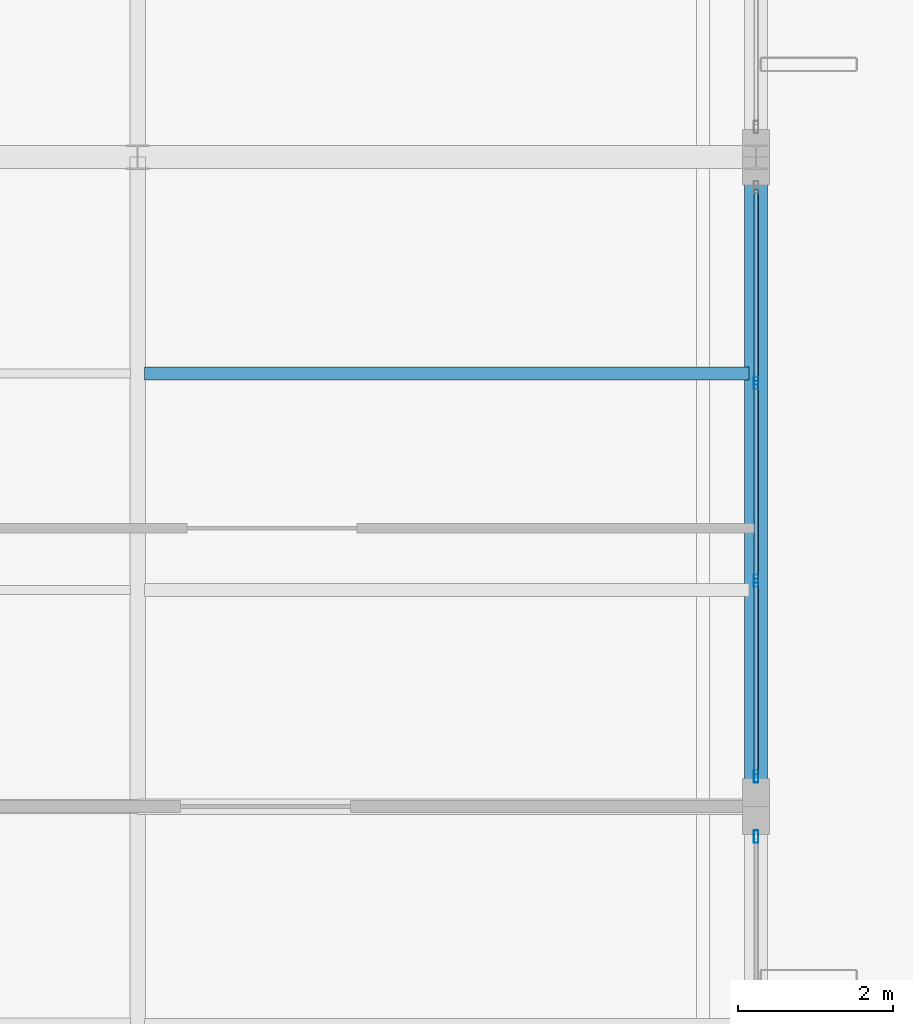
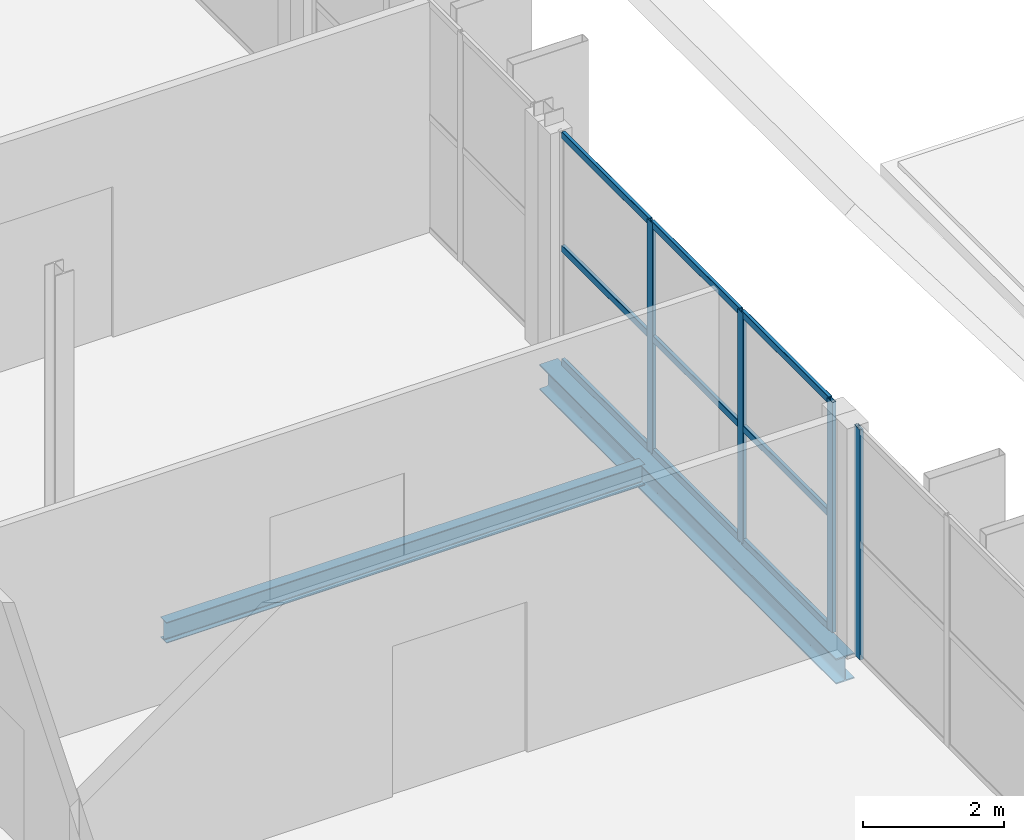
# One storey, part 44 of 93: 13 members, 2 beams, 2 elements without a shape of their own.
"""IFC4 building model written with IfcOpenShell, lengths in metres."""

from ifc_helpers import new_model, si_unit, direction, frame, origin, origin_2d, place, context, subcontext, project, spatial, hollow_rectangle, i_section, extrude, material, layer, layer_set, material_profile, profile_set, type_object, element, aggregate, save


model = new_model("IFC4")

# Units and contexts
model_context = context("Model", 3, precision=1e-05, world=origin(), true_north=direction((0.0, 1.0)))
body_context = subcontext(model_context, "Body", "Model", "MODEL_VIEW")
ifc_project = project(units=[si_unit("LENGTHUNIT", "METRE"), si_unit("AREAUNIT", "SQUARE_METRE"), si_unit("VOLUMEUNIT", "CUBIC_METRE"), si_unit("PLANEANGLEUNIT", "RADIAN"), si_unit("MASSUNIT", "GRAM", prefix="KILO")], contexts=[model_context])

# Site, building, storey
site_placement = place(None, origin())
site = spatial("IfcSite", under=ifc_project, at=site_placement, CompositionType="ELEMENT")
building_placement = place(site_placement, origin())
building = spatial("IfcBuilding", under=site, at=building_placement, Name="Vekula Escarpment Museum", CompositionType="ELEMENT")
storey_placement = place(building_placement, frame((0.0, 0.0, 22.199951171875)))
storey = spatial("IfcBuildingStorey", under=building, at=storey_placement, Name="L05", CompositionType="ELEMENT", Elevation=22.199951171875)

# Beams
ifc_material_1 = material(Name="Steel S355", Category="steel")
ifc_material_profile_1 = material_profile(ifc_material_1, i_section(OverallWidth=0.169921875, OverallDepth=0.360107421875, WebThickness=0.008056640625, FlangeThickness=0.0126953125, FilletRadius=0.01806640625, at=origin_2d()), Name="IPE 360")
ifc_profile_set_1 = profile_set([ifc_material_profile_1], Name="Steel S355")
beam_type_1 = type_object("IfcBeamType", Name="BM-JST-IPE360", PredefinedType="JOIST", material=ifc_profile_set_1)
beam_1_placement = place(storey_placement, frame((118.090087890625, 73.60009765625, -0.39990234375), z_axis=(1.0, 0.0, 0.0), x_axis=(0.0, 1.0, 0.0)))
element("IfcBeam", 1, at=beam_1_placement, inside=storey, type_object=beam_type_1, Name="Secondary Joist L05 1378", PredefinedType="JOIST", context=body_context, shape_type="SweptSolid", body=[
    extrude(i_section(OverallWidth=0.169921875, OverallDepth=0.360107421875, WebThickness=0.008056640625, FlangeThickness=0.0126953125, FilletRadius=0.01806640625, at=origin_2d()), origin(), (0.0, 0.0, 1.0), 7.81982421875),
])
ifc_material_2 = material(Name="Steel S355", Category="steel")
ifc_material_profile_2 = material_profile(ifc_material_2, i_section(OverallWidth=0.300048828125, OverallDepth=0.43994140625, WebThickness=0.011474609375, FlangeThickness=0.02099609375, FilletRadius=0.027099609375, at=origin_2d()), Name="HEA 450")
ifc_profile_set_2 = profile_set([ifc_material_profile_2], Name="Steel S355")
beam_type_2 = type_object("IfcBeamType", Name="BM-SPAN-HEA450", PredefinedType="SPANDREL", material=ifc_profile_set_2)
beam_2_placement = place(storey_placement, frame((126.0, 68.0, -0.43994140625), z_axis=(0.0, 1.0, 0.0), x_axis=(-1.0, 0.0, 0.0)))
element("IfcBeam", 2, at=beam_2_placement, inside=storey, type_object=beam_type_2, Name="Beam Y L05 2152", PredefinedType="SPANDREL", context=body_context, shape_type="SweptSolid", body=[
    extrude(i_section(OverallWidth=0.300048828125, OverallDepth=0.43994140625, WebThickness=0.011474609375, FlangeThickness=0.02099609375, FilletRadius=0.027099609375, at=origin_2d()), origin(), (0.0, 0.0, 1.0), 8.39990234375),
])

# Curtain wall, member
ifc_material_3 = material(Name="Aluminium thermally broken framing", Category="aluminium")
ifc_layer_1 = layer(ifc_material_3, 0.159912109375)
ifc_layer_set_1 = layer_set([ifc_layer_1], Name="Aluminium thermally broken framing")
curtain_wall_type_1 = type_object("IfcCurtainWallType", Name="CW-SYS-02", PredefinedType="NOTDEFINED", material=ifc_layer_set_1)
curtain_wall_1_placement = place(storey_placement, origin())
curtain_wall_1 = element("IfcCurtainWall", 3, at=curtain_wall_1_placement, inside=storey, type_object=curtain_wall_type_1, Name="Curtain Wall CW-L05-172", PredefinedType="NOTDEFINED")
ifc_material_4 = material(Name="Aluminium anodized mullion", Category="aluminium")
ifc_material_profile_3 = material_profile(ifc_material_4, hollow_rectangle(XDim=0.06005859375, YDim=0.159912109375, WallThickness=0.00390625, InnerFilletRadius=0.00390625, OuterFilletRadius=0.008056640625, at=origin_2d()), Name="ALU 160x60x4")
ifc_profile_set_3 = profile_set([ifc_material_profile_3], Name="Aluminium anodized mullion")
member_type_1 = type_object("IfcMemberType", Name="CW-MUL-160", PredefinedType="MULLION", material=ifc_profile_set_3)
member_1_placement = place(storey_placement, frame((126.0, 67.610107421875, 0.0), z_axis=(0.0, 0.0, 1.0), x_axis=(-1.0, 0.0, 0.0)))
member_1 = element("IfcMember", 4, at=member_1_placement, type_object=member_type_1, Name="CW-02 mullion 4", PredefinedType="MULLION", context=body_context, shape_type="SweptSolid", body=[
    extrude(hollow_rectangle(XDim=0.06005859375, YDim=0.159912109375, WallThickness=0.00390625, InnerFilletRadius=0.00390625, OuterFilletRadius=0.008056640625, at=origin_2d()), origin(), (0.0, 0.0, 1.0), 3.97998046875),
])
aggregate(curtain_wall_1, [member_1])

# Curtain wall, members
ifc_material_5 = material(Name="Aluminium thermally broken framing", Category="aluminium")
ifc_layer_2 = layer(ifc_material_5, 0.199951171875)
ifc_layer_set_2 = layer_set([ifc_layer_2], Name="Aluminium thermally broken framing")
curtain_wall_type_2 = type_object("IfcCurtainWallType", Name="CW-SYS-03", PredefinedType="NOTDEFINED", material=ifc_layer_set_2)
curtain_wall_2_placement = place(storey_placement, origin())
curtain_wall_2 = element("IfcCurtainWall", 5, at=curtain_wall_2_placement, inside=storey, type_object=curtain_wall_type_2, Name="Curtain Wall CW-L05-173", PredefinedType="NOTDEFINED")
member_2_placement = place(storey_placement, frame((126.0, 68.389892578125, 0.0), z_axis=(0.0, 0.0, 1.0), x_axis=(-1.0, 0.0, 0.0)))
member_2 = element("IfcMember", 6, at=member_2_placement, type_object=member_type_1, Name="CW-03 mullion 1", PredefinedType="MULLION", context=body_context, shape_type="SweptSolid", body=[
    extrude(hollow_rectangle(XDim=0.06005859375, YDim=0.159912109375, WallThickness=0.00390625, InnerFilletRadius=0.00390625, OuterFilletRadius=0.008056640625, at=origin_2d()), origin(), (0.0, 0.0, 1.0), 3.97998046875),
])
member_3_placement = place(storey_placement, frame((126.0, 70.919921875, 0.0), z_axis=(0.0, 0.0, 1.0), x_axis=(-1.0, 0.0, 0.0)))
member_3 = element("IfcMember", 7, at=member_3_placement, type_object=member_type_1, Name="CW-03 mullion 2", PredefinedType="MULLION", context=body_context, shape_type="SweptSolid", body=[
    extrude(hollow_rectangle(XDim=0.06005859375, YDim=0.159912109375, WallThickness=0.00390625, InnerFilletRadius=0.00390625, OuterFilletRadius=0.008056640625, at=origin_2d()), origin(), (0.0, 0.0, 1.0), 3.97998046875),
])
member_4_placement = place(storey_placement, frame((126.0, 73.47998046875, 0.0), z_axis=(0.0, 0.0, 1.0), x_axis=(-1.0, 0.0, 0.0)))
member_4 = element("IfcMember", 8, at=member_4_placement, type_object=member_type_1, Name="CW-03 mullion 3", PredefinedType="MULLION", context=body_context, shape_type="SweptSolid", body=[
    extrude(hollow_rectangle(XDim=0.06005859375, YDim=0.159912109375, WallThickness=0.00390625, InnerFilletRadius=0.00390625, OuterFilletRadius=0.008056640625, at=origin_2d()), origin(), (0.0, 0.0, 1.0), 3.97998046875),
])
ifc_material_6 = material(Name="Aluminium anodized transom", Category="aluminium")
ifc_material_profile_4 = material_profile(ifc_material_6, hollow_rectangle(XDim=0.06005859375, YDim=0.1201171875, WallThickness=0.00390625, InnerFilletRadius=0.00390625, OuterFilletRadius=0.008056640625, at=origin_2d()), Name="ALU 120x60x4")
ifc_profile_set_4 = profile_set([ifc_material_profile_4], Name="Aluminium anodized transom")
member_type_2 = type_object("IfcMemberType", Name="CW-TRN-120", PredefinedType="USERDEFINED", material=ifc_profile_set_4)
member_5_placement = place(storey_placement, frame((126.0, 68.419921875, 0.030029296875), z_axis=(0.0, 1.0, 0.0), x_axis=(-1.0, 0.0, 0.0)))
member_5 = element("IfcMember", 9, at=member_5_placement, type_object=member_type_2, Name="CW-03 transom 1.1", ObjectType="TRANSOM", PredefinedType="USERDEFINED", context=body_context, shape_type="SweptSolid", body=[
    extrude(hollow_rectangle(XDim=0.06005859375, YDim=0.1201171875, WallThickness=0.00390625, InnerFilletRadius=0.00390625, OuterFilletRadius=0.008056640625, at=origin_2d()), origin(), (0.0, 0.0, 1.0), 2.469970703125),
])
member_6_placement = place(storey_placement, frame((126.0, 68.419921875, 1.989990234375), z_axis=(0.0, 1.0, 0.0), x_axis=(-1.0, 0.0, 0.0)))
member_6 = element("IfcMember", 10, at=member_6_placement, type_object=member_type_2, Name="CW-03 transom 1.2", ObjectType="TRANSOM", PredefinedType="USERDEFINED", context=body_context, shape_type="SweptSolid", body=[
    extrude(hollow_rectangle(XDim=0.06005859375, YDim=0.1201171875, WallThickness=0.00390625, InnerFilletRadius=0.00390625, OuterFilletRadius=0.008056640625, at=origin_2d()), origin(), (0.0, 0.0, 1.0), 2.469970703125),
])
member_7_placement = place(storey_placement, frame((126.0, 68.419921875, 3.949951171875), z_axis=(0.0, 1.0, 0.0), x_axis=(-1.0, 0.0, 0.0)))
member_7 = element("IfcMember", 11, at=member_7_placement, type_object=member_type_2, Name="CW-03 transom 1.3", ObjectType="TRANSOM", PredefinedType="USERDEFINED", context=body_context, shape_type="SweptSolid", body=[
    extrude(hollow_rectangle(XDim=0.06005859375, YDim=0.1201171875, WallThickness=0.00390625, InnerFilletRadius=0.00390625, OuterFilletRadius=0.008056640625, at=origin_2d()), origin(), (0.0, 0.0, 1.0), 2.469970703125),
])
member_8_placement = place(storey_placement, frame((126.0, 70.949951171875, 0.030029296875), z_axis=(0.0, 1.0, 0.0), x_axis=(-1.0, 0.0, 0.0)))
member_8 = element("IfcMember", 12, at=member_8_placement, type_object=member_type_2, Name="CW-03 transom 2.1", ObjectType="TRANSOM", PredefinedType="USERDEFINED", context=body_context, shape_type="SweptSolid", body=[
    extrude(hollow_rectangle(XDim=0.06005859375, YDim=0.1201171875, WallThickness=0.00390625, InnerFilletRadius=0.00390625, OuterFilletRadius=0.008056640625, at=origin_2d()), origin(), (0.0, 0.0, 1.0), 2.5),
])
member_9_placement = place(storey_placement, frame((126.0, 70.949951171875, 1.989990234375), z_axis=(0.0, 1.0, 0.0), x_axis=(-1.0, 0.0, 0.0)))
member_9 = element("IfcMember", 13, at=member_9_placement, type_object=member_type_2, Name="CW-03 transom 2.2", ObjectType="TRANSOM", PredefinedType="USERDEFINED", context=body_context, shape_type="SweptSolid", body=[
    extrude(hollow_rectangle(XDim=0.06005859375, YDim=0.1201171875, WallThickness=0.00390625, InnerFilletRadius=0.00390625, OuterFilletRadius=0.008056640625, at=origin_2d()), origin(), (0.0, 0.0, 1.0), 2.5),
])
member_10_placement = place(storey_placement, frame((126.0, 70.949951171875, 3.949951171875), z_axis=(0.0, 1.0, 0.0), x_axis=(-1.0, 0.0, 0.0)))
member_10 = element("IfcMember", 14, at=member_10_placement, type_object=member_type_2, Name="CW-03 transom 2.3", ObjectType="TRANSOM", PredefinedType="USERDEFINED", context=body_context, shape_type="SweptSolid", body=[
    extrude(hollow_rectangle(XDim=0.06005859375, YDim=0.1201171875, WallThickness=0.00390625, InnerFilletRadius=0.00390625, OuterFilletRadius=0.008056640625, at=origin_2d()), origin(), (0.0, 0.0, 1.0), 2.5),
])
member_11_placement = place(storey_placement, frame((126.0, 73.510009765625, 0.030029296875), z_axis=(0.0, 1.0, 0.0), x_axis=(-1.0, 0.0, 0.0)))
member_11 = element("IfcMember", 15, at=member_11_placement, type_object=member_type_2, Name="CW-03 transom 3.1", ObjectType="TRANSOM", PredefinedType="USERDEFINED", context=body_context, shape_type="SweptSolid", body=[
    extrude(hollow_rectangle(XDim=0.06005859375, YDim=0.1201171875, WallThickness=0.00390625, InnerFilletRadius=0.00390625, OuterFilletRadius=0.008056640625, at=origin_2d()), origin(), (0.0, 0.0, 1.0), 2.469970703125),
])
member_12_placement = place(storey_placement, frame((126.0, 73.510009765625, 1.989990234375), z_axis=(0.0, 1.0, 0.0), x_axis=(-1.0, 0.0, 0.0)))
member_12 = element("IfcMember", 16, at=member_12_placement, type_object=member_type_2, Name="CW-03 transom 3.2", ObjectType="TRANSOM", PredefinedType="USERDEFINED", context=body_context, shape_type="SweptSolid", body=[
    extrude(hollow_rectangle(XDim=0.06005859375, YDim=0.1201171875, WallThickness=0.00390625, InnerFilletRadius=0.00390625, OuterFilletRadius=0.008056640625, at=origin_2d()), origin(), (0.0, 0.0, 1.0), 2.469970703125),
])
member_13_placement = place(storey_placement, frame((126.0, 73.510009765625, 3.949951171875), z_axis=(0.0, 1.0, 0.0), x_axis=(-1.0, 0.0, 0.0)))
member_13 = element("IfcMember", 17, at=member_13_placement, type_object=member_type_2, Name="CW-03 transom 3.3", ObjectType="TRANSOM", PredefinedType="USERDEFINED", context=body_context, shape_type="SweptSolid", body=[
    extrude(hollow_rectangle(XDim=0.06005859375, YDim=0.1201171875, WallThickness=0.00390625, InnerFilletRadius=0.00390625, OuterFilletRadius=0.008056640625, at=origin_2d()), origin(), (0.0, 0.0, 1.0), 2.469970703125),
])
aggregate(curtain_wall_2, [member_2, member_3, member_4, member_5, member_6, member_7, member_8, member_9, member_10, member_11, member_12, member_13])

save(model, "model.ifc")
